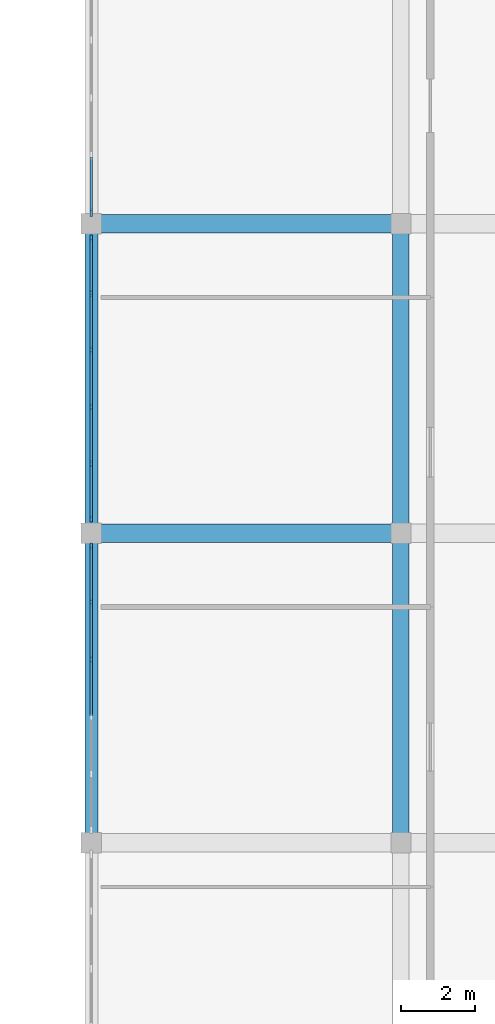
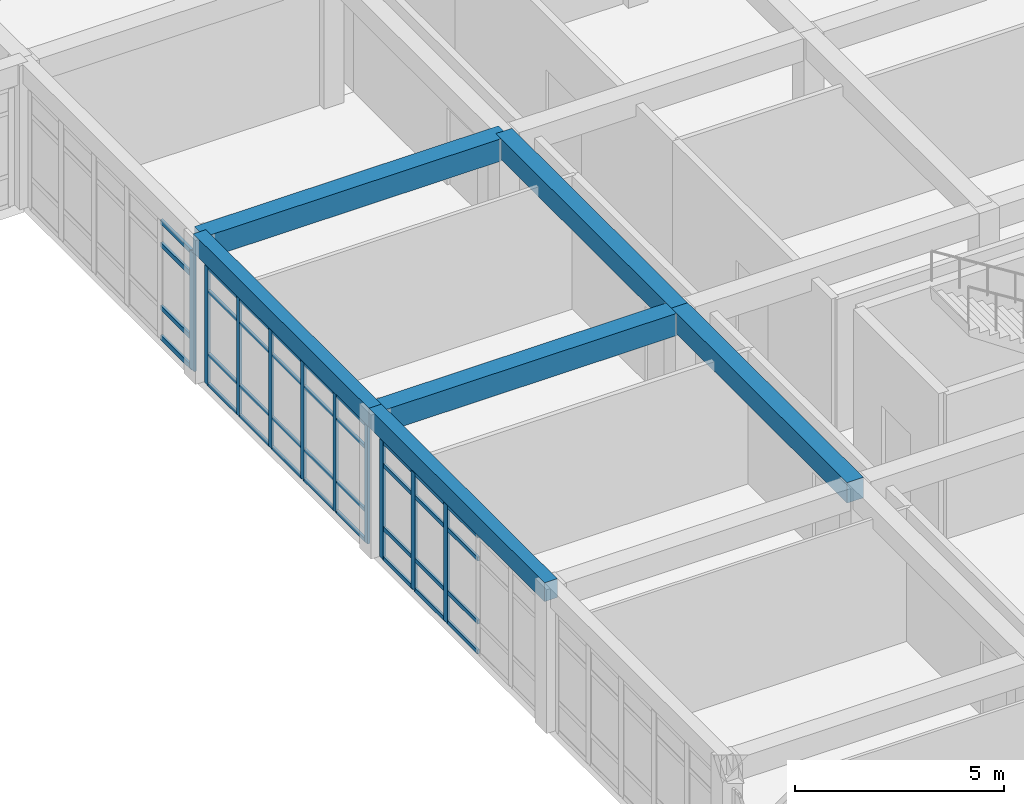
# One storey, part 28 of 77: 46 members, 6 beams, 3 elements without a shape of their own.
"""IFC4 building model written with IfcOpenShell, lengths in metres."""

from ifc_helpers import new_model, si_unit, direction, frame, origin, origin_2d, place, context, subcontext, project, spatial, rectangle, extrude, material, material_profile, profile_set, type_object, element, aggregate, save


model = new_model("IFC4")

# Units and contexts
model_context = context("Model", 3, precision=1e-05, world=origin(), true_north=direction((0.0, 1.0)))
body_context = subcontext(model_context, "Body", "Model", "MODEL_VIEW")
ifc_project = project(units=[si_unit("LENGTHUNIT", "METRE"), si_unit("AREAUNIT", "SQUARE_METRE"), si_unit("VOLUMEUNIT", "CUBIC_METRE"), si_unit("PLANEANGLEUNIT", "RADIAN"), si_unit("MASSUNIT", "GRAM", prefix="KILO")], contexts=[model_context])

# Site, building, storey
site_placement = place(None, origin())
site = spatial("IfcSite", under=ifc_project, at=site_placement, CompositionType="ELEMENT")
building_placement = place(site_placement, origin())
building = spatial("IfcBuilding", under=site, at=building_placement, Name="Varncliffe General Hospital", CompositionType="ELEMENT")
storey_placement = place(building_placement, frame((0.0, 0.0, 16.199951171875)))
storey = spatial("IfcBuildingStorey", under=building, at=storey_placement, Name="L03", CompositionType="ELEMENT", Elevation=16.199951171875)

# Beams
ifc_material_1 = material(Name="Concrete C35/45 (CSA A23.1 35 MPa)", Category="concrete")
ifc_material_profile_1 = material_profile(ifc_material_1, rectangle(XDim=0.5, YDim=0.64990234375, at=origin_2d()), Name="RC 500x650")
ifc_profile_set_1 = profile_set([ifc_material_profile_1], Name="Concrete C35/45 (CSA A23.1 35 MPa)")
beam_type_1 = type_object("IfcBeamType", Name="Beam B29 (Int RC 500x650)", PredefinedType="BEAM", material=ifc_profile_set_1)
for number, where, z_axis, x_axis, name in (
    (1, (151.199951171875, 66.0, 3.875), (1.0, 0.0, 0.0), (0.0, 1.0, 0.0), "L03 Primary Beam B29-49"),
    (2, (151.199951171875, 74.39990234375, 3.875), (1.0, 0.0, 0.0), (0.0, 1.0, 0.0), "L03 Primary Beam B29-62"),
):
    element("IfcBeam", number, at=place(storey_placement, frame(where, z_axis=z_axis, x_axis=x_axis)), inside=storey, type_object=beam_type_1, Name=name, PredefinedType="BEAM", context=body_context, shape_type="SweptSolid", body=[
        extrude(rectangle(XDim=0.5, YDim=0.64990234375, at=origin_2d()), origin(), (0.0, 0.0, 1.0), 8.400146484375),
    ])
ifc_material_profile_2 = material_profile(ifc_material_1, rectangle(XDim=0.449951171875, YDim=0.60009765625, at=origin_2d()), Name="RC 450x600")
ifc_profile_set_2 = profile_set([ifc_material_profile_2], Name="Concrete C35/45 (CSA A23.1 35 MPa)")
beam_type_2 = type_object("IfcBeamType", Name="Beam B47 (Int RC 450x600)", PredefinedType="BEAM", material=ifc_profile_set_2)
for number, where, z_axis, x_axis, name in (
    (3, (159.60009765625, 57.60009765625, 3.900146484375), (0.0, 1.0, 0.0), (-1.0, 0.0, 0.0), "L03 Primary Beam B47-387"),
    (4, (159.60009765625, 66.0, 3.900146484375), (0.0, 1.0, 0.0), (-1.0, 0.0, 0.0), "L03 Primary Beam B47-388"),
):
    element("IfcBeam", number, at=place(storey_placement, frame(where, z_axis=z_axis, x_axis=x_axis)), inside=storey, type_object=beam_type_2, Name=name, PredefinedType="BEAM", context=body_context, shape_type="SweptSolid", body=[
        extrude(rectangle(XDim=0.449951171875, YDim=0.60009765625, at=origin_2d()), origin(), (0.0, 0.0, 1.0), 8.39990234375),
    ])

# Curtain wall, members
ifc_material_2 = material(Name="Triple low-E argon insulated vision glazing", Category="glass")
curtain_wall_type_1 = type_object("IfcCurtainWallType", Name="Unitised Glazed Curtain Wall CW23 (7774x3440)", PredefinedType="USERDEFINED", material=ifc_material_2)
curtain_wall_1_placement = place(storey_placement, origin())
curtain_wall_1 = element("IfcCurtainWall", 5, at=curtain_wall_1_placement, inside=storey, type_object=curtain_wall_type_1, Name="L03 Glazed Curtain Wall CW23-166", ObjectType="GLAZED CURTAIN WALL", PredefinedType="USERDEFINED")
ifc_material_3 = material(Name="Dark bronze thermally broken aluminium framing", Category="aluminium")
ifc_material_profile_3 = material_profile(ifc_material_3, rectangle(XDim=0.074951171875, YDim=0.179931640625, at=origin_2d()), Name="ALU 75x180")
ifc_profile_set_3 = profile_set([ifc_material_profile_3], Name="Dark bronze thermally broken aluminium framing")
member_type_1 = type_object("IfcMemberType", Name="Curtain Wall Mullion CM44 (ALU 75x180)", PredefinedType="MULLION", material=ifc_profile_set_3)
member_1_placement = place(storey_placement, frame((151.199951171875, 62.577392578125, 0.0), z_axis=(0.0, 0.0, 1.0), x_axis=(-1.0, 0.0, 0.0)))
member_1 = element("IfcMember", 6, at=member_1_placement, type_object=member_type_1, Name="CW23 mullion 4", PredefinedType="MULLION", context=body_context, shape_type="SweptSolid", body=[
    extrude(rectangle(XDim=0.074951171875, YDim=0.179931640625, at=origin_2d()), origin(), (0.0, 0.0, 1.0), 3.43994140625),
])
member_2_placement = place(storey_placement, frame((151.199951171875, 64.132080078125, 0.0), z_axis=(0.0, 0.0, 1.0), x_axis=(-1.0, 0.0, 0.0)))
member_2 = element("IfcMember", 7, at=member_2_placement, type_object=member_type_1, Name="CW23 mullion 5", PredefinedType="MULLION", context=body_context, shape_type="SweptSolid", body=[
    extrude(rectangle(XDim=0.074951171875, YDim=0.179931640625, at=origin_2d()), origin(), (0.0, 0.0, 1.0), 3.43994140625),
])
member_3_placement = place(storey_placement, frame((151.199951171875, 65.6494140625, 0.0), z_axis=(0.0, 0.0, 1.0), x_axis=(-1.0, 0.0, 0.0)))
member_3 = element("IfcMember", 8, at=member_3_placement, type_object=member_type_1, Name="CW23 mullion 6", PredefinedType="MULLION", context=body_context, shape_type="SweptSolid", body=[
    extrude(rectangle(XDim=0.074951171875, YDim=0.179931640625, at=origin_2d()), origin(), (0.0, 0.0, 1.0), 3.43994140625),
])

curtain_wall_type_2 = type_object("IfcCurtainWallType", Name="Unitised Glazed Curtain Wall CW37 (7694x3440)", PredefinedType="USERDEFINED", material=ifc_material_2)
curtain_wall_2_placement = place(storey_placement, origin())
curtain_wall_2 = element("IfcCurtainWall", 9, at=curtain_wall_2_placement, inside=storey, type_object=curtain_wall_type_2, Name="L03 Glazed Curtain Wall CW37-167", ObjectType="GLAZED CURTAIN WALL", PredefinedType="USERDEFINED")
ifc_material_profile_4 = material_profile(ifc_material_3, rectangle(XDim=0.06494140625, YDim=0.159912109375, at=origin_2d()), Name="ALU 65x160")
ifc_profile_set_4 = profile_set([ifc_material_profile_4], Name="Dark bronze thermally broken aluminium framing")
member_type_2 = type_object("IfcMemberType", Name="Curtain Wall Mullion CM65 (ALU 65x160)", PredefinedType="MULLION", material=ifc_profile_set_4)
member_4_placement = place(storey_placement, frame((151.199951171875, 66.385498046875, 0.0), z_axis=(0.0, 0.0, 1.0), x_axis=(-1.0, 0.0, 0.0)))
member_4 = element("IfcMember", 10, at=member_4_placement, type_object=member_type_2, Name="CW37 mullion 1", PredefinedType="MULLION", context=body_context, shape_type="SweptSolid", body=[
    extrude(rectangle(XDim=0.06494140625, YDim=0.159912109375, at=origin_2d()), origin(), (0.0, 0.0, 1.0), 3.43994140625),
])
member_5_placement = place(storey_placement, frame((151.199951171875, 67.891845703125, 0.0), z_axis=(0.0, 0.0, 1.0), x_axis=(-1.0, 0.0, 0.0)))
member_5 = element("IfcMember", 11, at=member_5_placement, type_object=member_type_2, Name="CW37 mullion 2", PredefinedType="MULLION", context=body_context, shape_type="SweptSolid", body=[
    extrude(rectangle(XDim=0.06494140625, YDim=0.159912109375, at=origin_2d()), origin(), (0.0, 0.0, 1.0), 3.43994140625),
])
member_6_placement = place(storey_placement, frame((151.199951171875, 69.4306640625, 0.0), z_axis=(0.0, 0.0, 1.0), x_axis=(-1.0, 0.0, 0.0)))
member_6 = element("IfcMember", 12, at=member_6_placement, type_object=member_type_2, Name="CW37 mullion 3", PredefinedType="MULLION", context=body_context, shape_type="SweptSolid", body=[
    extrude(rectangle(XDim=0.06494140625, YDim=0.159912109375, at=origin_2d()), origin(), (0.0, 0.0, 1.0), 3.43994140625),
])
member_7_placement = place(storey_placement, frame((151.199951171875, 70.969482421875, 0.0), z_axis=(0.0, 0.0, 1.0), x_axis=(-1.0, 0.0, 0.0)))
member_7 = element("IfcMember", 13, at=member_7_placement, type_object=member_type_2, Name="CW37 mullion 4", PredefinedType="MULLION", context=body_context, shape_type="SweptSolid", body=[
    extrude(rectangle(XDim=0.06494140625, YDim=0.159912109375, at=origin_2d()), origin(), (0.0, 0.0, 1.0), 3.43994140625),
])
member_8_placement = place(storey_placement, frame((151.199951171875, 72.50830078125, 0.0), z_axis=(0.0, 0.0, 1.0), x_axis=(-1.0, 0.0, 0.0)))
member_8 = element("IfcMember", 14, at=member_8_placement, type_object=member_type_2, Name="CW37 mullion 5", PredefinedType="MULLION", context=body_context, shape_type="SweptSolid", body=[
    extrude(rectangle(XDim=0.06494140625, YDim=0.159912109375, at=origin_2d()), origin(), (0.0, 0.0, 1.0), 3.43994140625),
])
member_9_placement = place(storey_placement, frame((151.199951171875, 74.014404296875, 0.0), z_axis=(0.0, 0.0, 1.0), x_axis=(-1.0, 0.0, 0.0)))
member_9 = element("IfcMember", 15, at=member_9_placement, type_object=member_type_2, Name="CW37 mullion 6", PredefinedType="MULLION", context=body_context, shape_type="SweptSolid", body=[
    extrude(rectangle(XDim=0.06494140625, YDim=0.159912109375, at=origin_2d()), origin(), (0.0, 0.0, 1.0), 3.43994140625),
])

# Curtain wall, member
curtain_wall_type_3 = type_object("IfcCurtainWallType", Name="Unitised Glazed Curtain Wall CW83 (7854x3440)", PredefinedType="USERDEFINED", material=ifc_material_2)
curtain_wall_3_placement = place(storey_placement, origin())
curtain_wall_3 = element("IfcCurtainWall", 16, at=curtain_wall_3_placement, inside=storey, type_object=curtain_wall_type_3, Name="L03 Glazed Curtain Wall CW83-168", ObjectType="GLAZED CURTAIN WALL", PredefinedType="USERDEFINED")
ifc_material_profile_5 = material_profile(ifc_material_3, rectangle(XDim=0.074951171875, YDim=0.219970703125, at=origin_2d()), Name="ALU 75x220")
ifc_profile_set_5 = profile_set([ifc_material_profile_5], Name="Dark bronze thermally broken aluminium framing")
member_type_3 = type_object("IfcMemberType", Name="Curtain Wall Mullion CM74 (ALU 75x220)", PredefinedType="MULLION", material=ifc_profile_set_5)
member_10_placement = place(storey_placement, frame((151.199951171875, 74.71044921875, 0.0), z_axis=(0.0, 0.0, 1.0), x_axis=(-1.0, 0.0, 0.0)))
member_10 = element("IfcMember", 17, at=member_10_placement, type_object=member_type_3, Name="CW83 mullion 1", PredefinedType="MULLION", context=body_context, shape_type="SweptSolid", body=[
    extrude(rectangle(XDim=0.074951171875, YDim=0.219970703125, at=origin_2d()), origin(), (0.0, 0.0, 1.0), 3.43994140625),
])

# Member
ifc_material_profile_6 = material_profile(ifc_material_3, rectangle(XDim=0.06005859375, YDim=0.1201171875, at=origin_2d()), Name="ALU 60x120")
ifc_profile_set_6 = profile_set([ifc_material_profile_6], Name="Dark bronze thermally broken aluminium framing")
member_type_4 = type_object("IfcMemberType", Name="Curtain Wall Transom CT14 (ALU 60x120)", PredefinedType="USERDEFINED", material=ifc_profile_set_6)
member_11_placement = place(storey_placement, frame((151.199951171875, 61.06005859375, 0.030029296875), z_axis=(0.0, 1.0, 0.0), x_axis=(-1.0, 0.0, 0.0)))
member_11 = element("IfcMember", 18, at=member_11_placement, type_object=member_type_4, Name="CW23 transom 3.1", ObjectType="TRANSOM", PredefinedType="USERDEFINED", context=body_context, shape_type="SweptSolid", body=[
    extrude(rectangle(XDim=0.06005859375, YDim=0.1201171875, at=origin_2d()), origin(), (0.0, 0.0, 1.0), 1.479736328125),
])

member_12_placement = place(storey_placement, frame((151.199951171875, 61.06005859375, 0.900146484375), z_axis=(0.0, 1.0, 0.0), x_axis=(-1.0, 0.0, 0.0)))
member_12 = element("IfcMember", 19, at=member_12_placement, type_object=member_type_4, Name="CW23 transom 3.2", ObjectType="TRANSOM", PredefinedType="USERDEFINED", context=body_context, shape_type="SweptSolid", body=[
    extrude(rectangle(XDim=0.06005859375, YDim=0.1201171875, at=origin_2d()), origin(), (0.0, 0.0, 1.0), 1.479736328125),
])

member_13_placement = place(storey_placement, frame((151.199951171875, 61.06005859375, 2.739990234375), z_axis=(0.0, 1.0, 0.0), x_axis=(-1.0, 0.0, 0.0)))
member_13 = element("IfcMember", 20, at=member_13_placement, type_object=member_type_4, Name="CW23 transom 3.3", ObjectType="TRANSOM", PredefinedType="USERDEFINED", context=body_context, shape_type="SweptSolid", body=[
    extrude(rectangle(XDim=0.06005859375, YDim=0.1201171875, at=origin_2d()), origin(), (0.0, 0.0, 1.0), 1.479736328125),
])

member_14_placement = place(storey_placement, frame((151.199951171875, 61.06005859375, 3.41015625), z_axis=(0.0, 1.0, 0.0), x_axis=(-1.0, 0.0, 0.0)))
member_14 = element("IfcMember", 21, at=member_14_placement, type_object=member_type_4, Name="CW23 transom 3.4", ObjectType="TRANSOM", PredefinedType="USERDEFINED", context=body_context, shape_type="SweptSolid", body=[
    extrude(rectangle(XDim=0.06005859375, YDim=0.1201171875, at=origin_2d()), origin(), (0.0, 0.0, 1.0), 1.479736328125),
])

member_15_placement = place(storey_placement, frame((151.199951171875, 62.614990234375, 0.030029296875), z_axis=(0.0, 1.0, 0.0), x_axis=(-1.0, 0.0, 0.0)))
member_15 = element("IfcMember", 22, at=member_15_placement, type_object=member_type_4, Name="CW23 transom 4.1", ObjectType="TRANSOM", PredefinedType="USERDEFINED", context=body_context, shape_type="SweptSolid", body=[
    extrude(rectangle(XDim=0.06005859375, YDim=0.1201171875, at=origin_2d()), origin(), (0.0, 0.0, 1.0), 1.479736328125),
])

member_16_placement = place(storey_placement, frame((151.199951171875, 62.614990234375, 0.900146484375), z_axis=(0.0, 1.0, 0.0), x_axis=(-1.0, 0.0, 0.0)))
member_16 = element("IfcMember", 23, at=member_16_placement, type_object=member_type_4, Name="CW23 transom 4.2", ObjectType="TRANSOM", PredefinedType="USERDEFINED", context=body_context, shape_type="SweptSolid", body=[
    extrude(rectangle(XDim=0.06005859375, YDim=0.1201171875, at=origin_2d()), origin(), (0.0, 0.0, 1.0), 1.479736328125),
])

member_17_placement = place(storey_placement, frame((151.199951171875, 62.614990234375, 2.739990234375), z_axis=(0.0, 1.0, 0.0), x_axis=(-1.0, 0.0, 0.0)))
member_17 = element("IfcMember", 24, at=member_17_placement, type_object=member_type_4, Name="CW23 transom 4.3", ObjectType="TRANSOM", PredefinedType="USERDEFINED", context=body_context, shape_type="SweptSolid", body=[
    extrude(rectangle(XDim=0.06005859375, YDim=0.1201171875, at=origin_2d()), origin(), (0.0, 0.0, 1.0), 1.479736328125),
])

member_18_placement = place(storey_placement, frame((151.199951171875, 62.614990234375, 3.41015625), z_axis=(0.0, 1.0, 0.0), x_axis=(-1.0, 0.0, 0.0)))
member_18 = element("IfcMember", 25, at=member_18_placement, type_object=member_type_4, Name="CW23 transom 4.4", ObjectType="TRANSOM", PredefinedType="USERDEFINED", context=body_context, shape_type="SweptSolid", body=[
    extrude(rectangle(XDim=0.06005859375, YDim=0.1201171875, at=origin_2d()), origin(), (0.0, 0.0, 1.0), 1.479736328125),
])

member_19_placement = place(storey_placement, frame((151.199951171875, 64.169677734375, 0.030029296875), z_axis=(0.0, 1.0, 0.0), x_axis=(-1.0, 0.0, 0.0)))
member_19 = element("IfcMember", 26, at=member_19_placement, type_object=member_type_4, Name="CW23 transom 5.1", ObjectType="TRANSOM", PredefinedType="USERDEFINED", context=body_context, shape_type="SweptSolid", body=[
    extrude(rectangle(XDim=0.06005859375, YDim=0.1201171875, at=origin_2d()), origin(), (0.0, 0.0, 1.0), 1.4423828125),
])

member_20_placement = place(storey_placement, frame((151.199951171875, 64.169677734375, 0.900146484375), z_axis=(0.0, 1.0, 0.0), x_axis=(-1.0, 0.0, 0.0)))
member_20 = element("IfcMember", 27, at=member_20_placement, type_object=member_type_4, Name="CW23 transom 5.2", ObjectType="TRANSOM", PredefinedType="USERDEFINED", context=body_context, shape_type="SweptSolid", body=[
    extrude(rectangle(XDim=0.06005859375, YDim=0.1201171875, at=origin_2d()), origin(), (0.0, 0.0, 1.0), 1.4423828125),
])

member_21_placement = place(storey_placement, frame((151.199951171875, 64.169677734375, 2.739990234375), z_axis=(0.0, 1.0, 0.0), x_axis=(-1.0, 0.0, 0.0)))
member_21 = element("IfcMember", 28, at=member_21_placement, type_object=member_type_4, Name="CW23 transom 5.3", ObjectType="TRANSOM", PredefinedType="USERDEFINED", context=body_context, shape_type="SweptSolid", body=[
    extrude(rectangle(XDim=0.06005859375, YDim=0.1201171875, at=origin_2d()), origin(), (0.0, 0.0, 1.0), 1.4423828125),
])

member_22_placement = place(storey_placement, frame((151.199951171875, 64.169677734375, 3.41015625), z_axis=(0.0, 1.0, 0.0), x_axis=(-1.0, 0.0, 0.0)))
member_22 = element("IfcMember", 29, at=member_22_placement, type_object=member_type_4, Name="CW23 transom 5.4", ObjectType="TRANSOM", PredefinedType="USERDEFINED", context=body_context, shape_type="SweptSolid", body=[
    extrude(rectangle(XDim=0.06005859375, YDim=0.1201171875, at=origin_2d()), origin(), (0.0, 0.0, 1.0), 1.4423828125),
])

aggregate(curtain_wall_1, [member_1, member_2, member_3, member_11, member_12, member_13, member_14, member_15, member_16, member_17, member_18, member_19, member_20, member_21, member_22])

ifc_material_profile_7 = material_profile(ifc_material_3, rectangle(XDim=0.06005859375, YDim=0.10009765625, at=origin_2d()), Name="ALU 60x100")
ifc_profile_set_7 = profile_set([ifc_material_profile_7], Name="Dark bronze thermally broken aluminium framing")
member_type_5 = type_object("IfcMemberType", Name="Curtain Wall Transom CT18 (ALU 60x100)", PredefinedType="USERDEFINED", material=ifc_profile_set_7)
member_23_placement = place(storey_placement, frame((151.199951171875, 66.41796875, 0.030029296875), z_axis=(0.0, 1.0, 0.0), x_axis=(-1.0, 0.0, 0.0)))
member_23 = element("IfcMember", 30, at=member_23_placement, type_object=member_type_5, Name="CW37 transom 1.1", ObjectType="TRANSOM", PredefinedType="USERDEFINED", context=body_context, shape_type="SweptSolid", body=[
    extrude(rectangle(XDim=0.06005859375, YDim=0.10009765625, at=origin_2d()), origin(), (0.0, 0.0, 1.0), 1.44140625),
])

member_24_placement = place(storey_placement, frame((151.199951171875, 66.41796875, 0.900146484375), z_axis=(0.0, 1.0, 0.0), x_axis=(-1.0, 0.0, 0.0)))
member_24 = element("IfcMember", 31, at=member_24_placement, type_object=member_type_5, Name="CW37 transom 1.2", ObjectType="TRANSOM", PredefinedType="USERDEFINED", context=body_context, shape_type="SweptSolid", body=[
    extrude(rectangle(XDim=0.06005859375, YDim=0.10009765625, at=origin_2d()), origin(), (0.0, 0.0, 1.0), 1.44140625),
])

member_25_placement = place(storey_placement, frame((151.199951171875, 66.41796875, 2.739990234375), z_axis=(0.0, 1.0, 0.0), x_axis=(-1.0, 0.0, 0.0)))
member_25 = element("IfcMember", 32, at=member_25_placement, type_object=member_type_5, Name="CW37 transom 1.3", ObjectType="TRANSOM", PredefinedType="USERDEFINED", context=body_context, shape_type="SweptSolid", body=[
    extrude(rectangle(XDim=0.06005859375, YDim=0.10009765625, at=origin_2d()), origin(), (0.0, 0.0, 1.0), 1.44140625),
])

member_26_placement = place(storey_placement, frame((151.199951171875, 66.41796875, 3.41015625), z_axis=(0.0, 1.0, 0.0), x_axis=(-1.0, 0.0, 0.0)))
member_26 = element("IfcMember", 33, at=member_26_placement, type_object=member_type_5, Name="CW37 transom 1.4", ObjectType="TRANSOM", PredefinedType="USERDEFINED", context=body_context, shape_type="SweptSolid", body=[
    extrude(rectangle(XDim=0.06005859375, YDim=0.10009765625, at=origin_2d()), origin(), (0.0, 0.0, 1.0), 1.44140625),
])

member_27_placement = place(storey_placement, frame((151.199951171875, 67.92431640625, 0.030029296875), z_axis=(0.0, 1.0, 0.0), x_axis=(-1.0, 0.0, 0.0)))
member_27 = element("IfcMember", 34, at=member_27_placement, type_object=member_type_5, Name="CW37 transom 2.1", ObjectType="TRANSOM", PredefinedType="USERDEFINED", context=body_context, shape_type="SweptSolid", body=[
    extrude(rectangle(XDim=0.06005859375, YDim=0.10009765625, at=origin_2d()), origin(), (0.0, 0.0, 1.0), 1.473876953125),
])

member_28_placement = place(storey_placement, frame((151.199951171875, 67.92431640625, 0.900146484375), z_axis=(0.0, 1.0, 0.0), x_axis=(-1.0, 0.0, 0.0)))
member_28 = element("IfcMember", 35, at=member_28_placement, type_object=member_type_5, Name="CW37 transom 2.2", ObjectType="TRANSOM", PredefinedType="USERDEFINED", context=body_context, shape_type="SweptSolid", body=[
    extrude(rectangle(XDim=0.06005859375, YDim=0.10009765625, at=origin_2d()), origin(), (0.0, 0.0, 1.0), 1.473876953125),
])

member_29_placement = place(storey_placement, frame((151.199951171875, 67.92431640625, 2.739990234375), z_axis=(0.0, 1.0, 0.0), x_axis=(-1.0, 0.0, 0.0)))
member_29 = element("IfcMember", 36, at=member_29_placement, type_object=member_type_5, Name="CW37 transom 2.3", ObjectType="TRANSOM", PredefinedType="USERDEFINED", context=body_context, shape_type="SweptSolid", body=[
    extrude(rectangle(XDim=0.06005859375, YDim=0.10009765625, at=origin_2d()), origin(), (0.0, 0.0, 1.0), 1.473876953125),
])

member_30_placement = place(storey_placement, frame((151.199951171875, 67.92431640625, 3.41015625), z_axis=(0.0, 1.0, 0.0), x_axis=(-1.0, 0.0, 0.0)))
member_30 = element("IfcMember", 37, at=member_30_placement, type_object=member_type_5, Name="CW37 transom 2.4", ObjectType="TRANSOM", PredefinedType="USERDEFINED", context=body_context, shape_type="SweptSolid", body=[
    extrude(rectangle(XDim=0.06005859375, YDim=0.10009765625, at=origin_2d()), origin(), (0.0, 0.0, 1.0), 1.473876953125),
])

member_31_placement = place(storey_placement, frame((151.199951171875, 69.463134765625, 0.030029296875), z_axis=(0.0, 1.0, 0.0), x_axis=(-1.0, 0.0, 0.0)))
member_31 = element("IfcMember", 38, at=member_31_placement, type_object=member_type_5, Name="CW37 transom 3.1", ObjectType="TRANSOM", PredefinedType="USERDEFINED", context=body_context, shape_type="SweptSolid", body=[
    extrude(rectangle(XDim=0.06005859375, YDim=0.10009765625, at=origin_2d()), origin(), (0.0, 0.0, 1.0), 1.473876953125),
])

member_32_placement = place(storey_placement, frame((151.199951171875, 69.463134765625, 0.900146484375), z_axis=(0.0, 1.0, 0.0), x_axis=(-1.0, 0.0, 0.0)))
member_32 = element("IfcMember", 39, at=member_32_placement, type_object=member_type_5, Name="CW37 transom 3.2", ObjectType="TRANSOM", PredefinedType="USERDEFINED", context=body_context, shape_type="SweptSolid", body=[
    extrude(rectangle(XDim=0.06005859375, YDim=0.10009765625, at=origin_2d()), origin(), (0.0, 0.0, 1.0), 1.473876953125),
])

member_33_placement = place(storey_placement, frame((151.199951171875, 69.463134765625, 2.739990234375), z_axis=(0.0, 1.0, 0.0), x_axis=(-1.0, 0.0, 0.0)))
member_33 = element("IfcMember", 40, at=member_33_placement, type_object=member_type_5, Name="CW37 transom 3.3", ObjectType="TRANSOM", PredefinedType="USERDEFINED", context=body_context, shape_type="SweptSolid", body=[
    extrude(rectangle(XDim=0.06005859375, YDim=0.10009765625, at=origin_2d()), origin(), (0.0, 0.0, 1.0), 1.473876953125),
])

member_34_placement = place(storey_placement, frame((151.199951171875, 69.463134765625, 3.41015625), z_axis=(0.0, 1.0, 0.0), x_axis=(-1.0, 0.0, 0.0)))
member_34 = element("IfcMember", 41, at=member_34_placement, type_object=member_type_5, Name="CW37 transom 3.4", ObjectType="TRANSOM", PredefinedType="USERDEFINED", context=body_context, shape_type="SweptSolid", body=[
    extrude(rectangle(XDim=0.06005859375, YDim=0.10009765625, at=origin_2d()), origin(), (0.0, 0.0, 1.0), 1.473876953125),
])

member_35_placement = place(storey_placement, frame((151.199951171875, 71.001953125, 0.030029296875), z_axis=(0.0, 1.0, 0.0), x_axis=(-1.0, 0.0, 0.0)))
member_35 = element("IfcMember", 42, at=member_35_placement, type_object=member_type_5, Name="CW37 transom 4.1", ObjectType="TRANSOM", PredefinedType="USERDEFINED", context=body_context, shape_type="SweptSolid", body=[
    extrude(rectangle(XDim=0.06005859375, YDim=0.10009765625, at=origin_2d()), origin(), (0.0, 0.0, 1.0), 1.4736328125),
])

member_36_placement = place(storey_placement, frame((151.199951171875, 71.001953125, 0.900146484375), z_axis=(0.0, 1.0, 0.0), x_axis=(-1.0, 0.0, 0.0)))
member_36 = element("IfcMember", 43, at=member_36_placement, type_object=member_type_5, Name="CW37 transom 4.2", ObjectType="TRANSOM", PredefinedType="USERDEFINED", context=body_context, shape_type="SweptSolid", body=[
    extrude(rectangle(XDim=0.06005859375, YDim=0.10009765625, at=origin_2d()), origin(), (0.0, 0.0, 1.0), 1.4736328125),
])

member_37_placement = place(storey_placement, frame((151.199951171875, 71.001953125, 2.739990234375), z_axis=(0.0, 1.0, 0.0), x_axis=(-1.0, 0.0, 0.0)))
member_37 = element("IfcMember", 44, at=member_37_placement, type_object=member_type_5, Name="CW37 transom 4.3", ObjectType="TRANSOM", PredefinedType="USERDEFINED", context=body_context, shape_type="SweptSolid", body=[
    extrude(rectangle(XDim=0.06005859375, YDim=0.10009765625, at=origin_2d()), origin(), (0.0, 0.0, 1.0), 1.4736328125),
])

member_38_placement = place(storey_placement, frame((151.199951171875, 71.001953125, 3.41015625), z_axis=(0.0, 1.0, 0.0), x_axis=(-1.0, 0.0, 0.0)))
member_38 = element("IfcMember", 45, at=member_38_placement, type_object=member_type_5, Name="CW37 transom 4.4", ObjectType="TRANSOM", PredefinedType="USERDEFINED", context=body_context, shape_type="SweptSolid", body=[
    extrude(rectangle(XDim=0.06005859375, YDim=0.10009765625, at=origin_2d()), origin(), (0.0, 0.0, 1.0), 1.4736328125),
])

member_39_placement = place(storey_placement, frame((151.199951171875, 72.540771484375, 0.030029296875), z_axis=(0.0, 1.0, 0.0), x_axis=(-1.0, 0.0, 0.0)))
member_39 = element("IfcMember", 46, at=member_39_placement, type_object=member_type_5, Name="CW37 transom 5.1", ObjectType="TRANSOM", PredefinedType="USERDEFINED", context=body_context, shape_type="SweptSolid", body=[
    extrude(rectangle(XDim=0.06005859375, YDim=0.10009765625, at=origin_2d()), origin(), (0.0, 0.0, 1.0), 1.441162109375),
])

member_40_placement = place(storey_placement, frame((151.199951171875, 72.540771484375, 0.900146484375), z_axis=(0.0, 1.0, 0.0), x_axis=(-1.0, 0.0, 0.0)))
member_40 = element("IfcMember", 47, at=member_40_placement, type_object=member_type_5, Name="CW37 transom 5.2", ObjectType="TRANSOM", PredefinedType="USERDEFINED", context=body_context, shape_type="SweptSolid", body=[
    extrude(rectangle(XDim=0.06005859375, YDim=0.10009765625, at=origin_2d()), origin(), (0.0, 0.0, 1.0), 1.441162109375),
])

member_41_placement = place(storey_placement, frame((151.199951171875, 72.540771484375, 2.739990234375), z_axis=(0.0, 1.0, 0.0), x_axis=(-1.0, 0.0, 0.0)))
member_41 = element("IfcMember", 48, at=member_41_placement, type_object=member_type_5, Name="CW37 transom 5.3", ObjectType="TRANSOM", PredefinedType="USERDEFINED", context=body_context, shape_type="SweptSolid", body=[
    extrude(rectangle(XDim=0.06005859375, YDim=0.10009765625, at=origin_2d()), origin(), (0.0, 0.0, 1.0), 1.441162109375),
])

member_42_placement = place(storey_placement, frame((151.199951171875, 72.540771484375, 3.41015625), z_axis=(0.0, 1.0, 0.0), x_axis=(-1.0, 0.0, 0.0)))
member_42 = element("IfcMember", 49, at=member_42_placement, type_object=member_type_5, Name="CW37 transom 5.4", ObjectType="TRANSOM", PredefinedType="USERDEFINED", context=body_context, shape_type="SweptSolid", body=[
    extrude(rectangle(XDim=0.06005859375, YDim=0.10009765625, at=origin_2d()), origin(), (0.0, 0.0, 1.0), 1.441162109375),
])

aggregate(curtain_wall_2, [member_4, member_5, member_6, member_7, member_8, member_9, member_23, member_24, member_25, member_26, member_27, member_28, member_29, member_30, member_31, member_32, member_33, member_34, member_35, member_36, member_37, member_38, member_39, member_40, member_41, member_42])

ifc_material_profile_8 = material_profile(ifc_material_3, rectangle(XDim=0.06494140625, YDim=0.139892578125, at=origin_2d()), Name="ALU 65x140")
ifc_profile_set_8 = profile_set([ifc_material_profile_8], Name="Dark bronze thermally broken aluminium framing")
member_type_6 = type_object("IfcMemberType", Name="Curtain Wall Transom CT69 (ALU 65x140)", PredefinedType="USERDEFINED", material=ifc_profile_set_8)
member_43_placement = place(storey_placement, frame((151.199951171875, 74.748046875, 0.032470703125), z_axis=(0.0, 1.0, 0.0), x_axis=(-1.0, 0.0, 0.0)))
member_43 = element("IfcMember", 50, at=member_43_placement, type_object=member_type_6, Name="CW83 transom 1.1", ObjectType="TRANSOM", PredefinedType="USERDEFINED", context=body_context, shape_type="SweptSolid", body=[
    extrude(rectangle(XDim=0.06494140625, YDim=0.139892578125, at=origin_2d()), origin(), (0.0, 0.0, 1.0), 1.458251953125),
])

member_44_placement = place(storey_placement, frame((151.199951171875, 74.748046875, 0.900146484375), z_axis=(0.0, 1.0, 0.0), x_axis=(-1.0, 0.0, 0.0)))
member_44 = element("IfcMember", 51, at=member_44_placement, type_object=member_type_6, Name="CW83 transom 1.2", ObjectType="TRANSOM", PredefinedType="USERDEFINED", context=body_context, shape_type="SweptSolid", body=[
    extrude(rectangle(XDim=0.06494140625, YDim=0.139892578125, at=origin_2d()), origin(), (0.0, 0.0, 1.0), 1.458251953125),
])

member_45_placement = place(storey_placement, frame((151.199951171875, 74.748046875, 2.739990234375), z_axis=(0.0, 1.0, 0.0), x_axis=(-1.0, 0.0, 0.0)))
member_45 = element("IfcMember", 52, at=member_45_placement, type_object=member_type_6, Name="CW83 transom 1.3", ObjectType="TRANSOM", PredefinedType="USERDEFINED", context=body_context, shape_type="SweptSolid", body=[
    extrude(rectangle(XDim=0.06494140625, YDim=0.139892578125, at=origin_2d()), origin(), (0.0, 0.0, 1.0), 1.458251953125),
])

member_46_placement = place(storey_placement, frame((151.199951171875, 74.748046875, 3.407470703125), z_axis=(0.0, 1.0, 0.0), x_axis=(-1.0, 0.0, 0.0)))
member_46 = element("IfcMember", 53, at=member_46_placement, type_object=member_type_6, Name="CW83 transom 1.4", ObjectType="TRANSOM", PredefinedType="USERDEFINED", context=body_context, shape_type="SweptSolid", body=[
    extrude(rectangle(XDim=0.06494140625, YDim=0.139892578125, at=origin_2d()), origin(), (0.0, 0.0, 1.0), 1.458251953125),
])

aggregate(curtain_wall_3, [member_10, member_43, member_44, member_45, member_46])

# Beams
ifc_material_profile_9 = material_profile(ifc_material_1, rectangle(XDim=0.35009765625, YDim=0.550048828125, at=origin_2d()), Name="RC 350x550")
ifc_profile_set_9 = profile_set([ifc_material_profile_9], Name="Concrete C35/45 (CSA A23.1 35 MPa)")
beam_type_3 = type_object("IfcBeamType", Name="Spandrel SP20 (Ext RC 350x550)", PredefinedType="SPANDREL", material=ifc_profile_set_9)
for number, where, z_axis, x_axis, name in (
    (54, (151.199951171875, 57.60009765625, 3.925048828125), (0.0, 1.0, 0.0), (-1.0, 0.0, 0.0), "L03 Spandrel Beam SP20-370"),
    (55, (151.199951171875, 66.0, 3.925048828125), (0.0, 1.0, 0.0), (-1.0, 0.0, 0.0), "L03 Spandrel Beam SP20-371"),
):
    element("IfcBeam", number, at=place(storey_placement, frame(where, z_axis=z_axis, x_axis=x_axis)), inside=storey, type_object=beam_type_3, Name=name, PredefinedType="SPANDREL", context=body_context, shape_type="SweptSolid", body=[
        extrude(rectangle(XDim=0.35009765625, YDim=0.550048828125, at=origin_2d()), origin(), (0.0, 0.0, 1.0), 8.39990234375),
    ])

save(model, "model.ifc")
